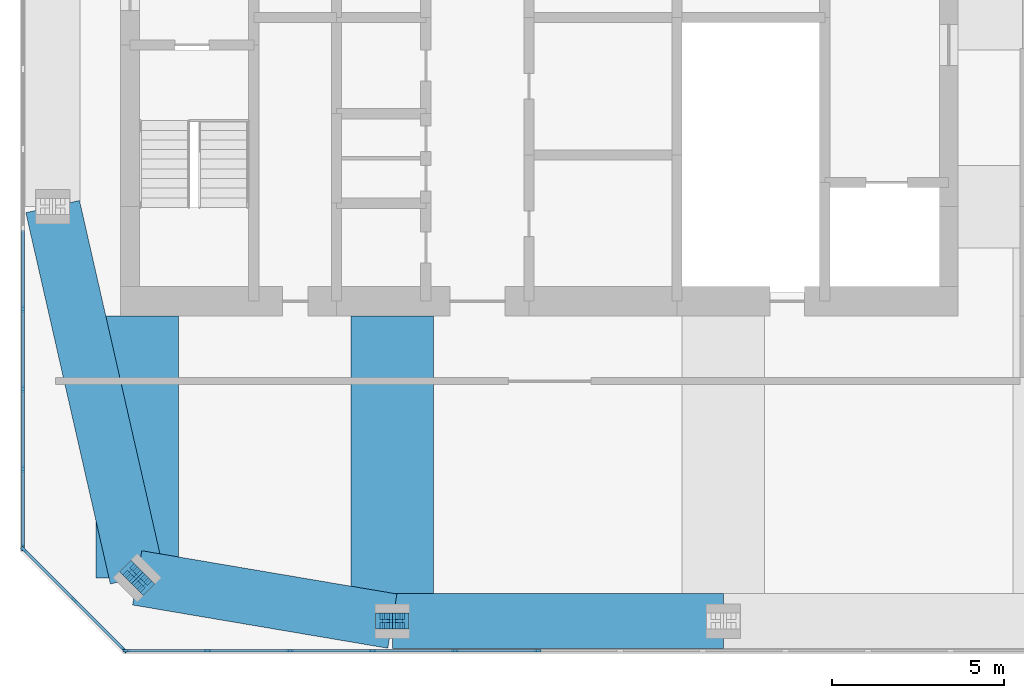
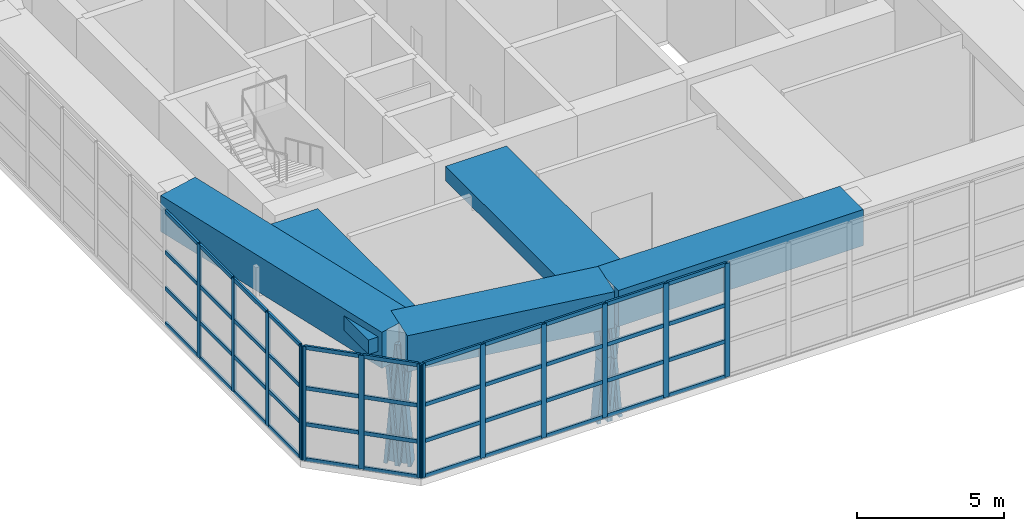
# One storey, part 2 of 14: 65 members, 5 beams, 3 elements without a shape of their own.
"""IFC4 building model written with IfcOpenShell, lengths in metres."""

import ifcopenshell
import ifcopenshell.guid

model = None  # the IFC model being written
_history = None  # IfcOwnerHistory: only IFC2X3 demands one
_inside = {}  # id of a spatial element -> (the spatial element, [elements in it])
_under = {}  # id of a project, library or spatial element -> (it, [spatial elements below it])
_declared = {}  # id of a project -> (the project, [libraries it declares])
_typed = {}  # id of a type object -> (the type object, [elements of that type])
_made_of = {}  # id of a material, layer set ... -> (it, [elements and type objects made of it])


def new_model(schema):
    """Start an empty IFC model of exactly this schema.

    Asked for "IFC4X3", IfcOpenShell would pick the latest addendum, in which some entities
    have other attributes; the version numbers below select the first issue.
    IFC2X3 requires an IfcOwnerHistory on every rooted entity: one is made here for all.
    """
    global model, _history
    if schema == "IFC4X3":
        model = ifcopenshell.file(schema_version=(4, 3, 0, 0))
    else:
        model = ifcopenshell.file(schema=schema)
    _inside.clear()
    _under.clear()
    _declared.clear()
    _typed.clear()
    _made_of.clear()
    _history = None
    if model.schema == "IFC2X3":
        org = make("IfcOrganization", Name="unknown")
        user = make(
            "IfcPersonAndOrganization",
            ThePerson=make("IfcPerson", FamilyName="unknown"),
            TheOrganization=org,
        )
        app = make(
            "IfcApplication",
            ApplicationDeveloper=org,
            Version="unknown",
            ApplicationFullName="unknown",
            ApplicationIdentifier="unknown",
        )
        _history = make(
            "IfcOwnerHistory",
            OwningUser=user,
            OwningApplication=app,
            ChangeAction="ADDED",
            CreationDate=0,
        )
    return model


def make(cls, **values):
    """One entity of the class cls with the attributes given. An attribute that is None is left unset."""
    return model.create_entity(
        cls, **{name: value for name, value in values.items() if value is not None}
    )


def rooted(cls, **values):
    """An entity with a GlobalId (a new one), such as an element, a storey or a relation."""
    return make(cls, GlobalId=ifcopenshell.guid.new(), OwnerHistory=_history, **values)


def si_unit(unit_type, name, prefix=None):
    """IfcSIUnit, for example si_unit("LENGTHUNIT", "METRE", prefix="MILLI")."""
    return make("IfcSIUnit", UnitType=unit_type, Prefix=prefix, Name=name)


def assignment(units):
    """IfcUnitAssignment: the units of a project."""
    return None if units is None else make("IfcUnitAssignment", Units=units)


def point(xyz):
    """IfcCartesianPoint."""
    return None if xyz is None else make("IfcCartesianPoint", Coordinates=xyz)


def direction(xyz):
    """IfcDirection."""
    return None if xyz is None else make("IfcDirection", DirectionRatios=xyz)


def frame(location, z_axis=None, x_axis=None):
    """IfcAxis2Placement3D, a coordinate frame: its origin and axes. An axis left out is left unset."""
    return make(
        "IfcAxis2Placement3D",
        Location=point(location),
        Axis=direction(z_axis),
        RefDirection=direction(x_axis),
    )


def frame_2d(location, x_axis=None):
    """IfcAxis2Placement2D, a coordinate frame in the plane: its origin and x axis."""
    return make(
        "IfcAxis2Placement2D", Location=point(location), RefDirection=direction(x_axis)
    )


def origin():
    """The frame at (0, 0, 0) with its axes left unset."""
    return frame((0.0, 0.0, 0.0))


def origin_2d():
    """The frame at (0, 0) in the plane with its x axis left unset."""
    return frame_2d((0.0, 0.0))


def place(relative_to, where):
    """IfcLocalPlacement: puts the frame where relative to a parent placement (None: the world)."""
    return make(
        "IfcLocalPlacement", PlacementRelTo=relative_to, RelativePlacement=where
    )


def context(
    kind, dimensions, precision=None, world=None, true_north=None, identifier=None
):
    """IfcGeometricRepresentationContext, for example the 3D "Model" context."""
    return make(
        "IfcGeometricRepresentationContext",
        ContextIdentifier=identifier,
        ContextType=kind,
        CoordinateSpaceDimension=dimensions,
        Precision=precision,
        WorldCoordinateSystem=world,
        TrueNorth=true_north,
    )


def subcontext(parent, identifier, kind, view, scale=None):
    """IfcGeometricRepresentationSubContext, for example "Body" below "Model"."""
    return make(
        "IfcGeometricRepresentationSubContext",
        ContextIdentifier=identifier,
        ContextType=kind,
        ParentContext=parent,
        TargetScale=scale,
        TargetView=view,
    )


def project(units=None, contexts=None):
    """IfcProject with its units and contexts."""
    return rooted(
        "IfcProject",
        Name="project",
        RepresentationContexts=contexts,
        UnitsInContext=assignment(units),
    )


def spatial(cls, under=None, at=None, **own):
    """A site, building, storey or space (cls), placed at a placement, below another one or the project."""
    s = rooted(cls, ObjectPlacement=at, **own)
    if under is not None:
        _under.setdefault(under.id(), (under, []))[1].append(s)
    return s


def profile(cls, at=None, kind="AREA", **sizes):
    """A parametric profile (cls). Its sizes go by their IFC names, for example OverallWidth=200.0."""
    return make(cls, ProfileType=kind, Position=at, **sizes)


def rectangle(**sizes):
    """IfcRectangleProfileDef."""
    return profile("IfcRectangleProfileDef", **sizes)


def i_section(**sizes):
    """IfcIShapeProfileDef."""
    return profile("IfcIShapeProfileDef", **sizes)


def extrude(swept, where, along, depth):
    """IfcExtrudedAreaSolid: the profile swept, set in the frame where, extruded along a direction by depth."""
    return make(
        "IfcExtrudedAreaSolid",
        SweptArea=swept,
        Position=where,
        ExtrudedDirection=direction(along),
        Depth=depth,
    )


def shape(context_of_items, identifier, shape_type, items):
    """IfcShapeRepresentation: the items that make up one representation, for example the "Body"."""
    return make(
        "IfcShapeRepresentation",
        ContextOfItems=context_of_items,
        RepresentationIdentifier=identifier,
        RepresentationType=shape_type,
        Items=items,
    )


def material(Name=None, Category=None):
    """IfcMaterial."""
    return make("IfcMaterial", Name=Name, Category=Category)


def material_profile(
    of_material, cross_section, Name=None, Category=None, Priority=None
):
    """IfcMaterialProfile: a cross section and its material."""
    return make(
        "IfcMaterialProfile",
        Name=Name,
        Material=of_material,
        Profile=cross_section,
        Priority=Priority,
        Category=Category,
    )


def profile_set(profiles, Name=None, composite=None):
    """IfcMaterialProfileSet."""
    return make(
        "IfcMaterialProfileSet",
        Name=Name,
        MaterialProfiles=profiles,
        CompositeProfile=composite,
    )


def made_of(thing, what):
    """Note that an element or type object is made of a material, layer set ...; save() writes the relation."""
    if what is not None:
        _made_of.setdefault(what.id(), (what, []))[1].append(thing)
    return thing


def type_object(cls, material=None, **own):
    """A type object (cls), such as IfcWallType, which elements share."""
    return made_of(rooted(cls, **own), material)


def element(
    cls,
    number,
    at=None,
    inside=None,
    cuts=None,
    type_object=None,
    material=None,
    context=None,
    identifier="Body",
    shape_type=None,
    held_by="IfcProductDefinitionShape",
    body=None,
    shapes=None,
    **own,
):
    """One element of the class cls, such as IfcWall. Its Tag is "e" and its number.

    at: its placement. inside: the storey or other place that contains it. cuts: it is an
    opening in that element (IfcRelVoidsElement). A single representation is given by context,
    identifier, shape_type and body (its items); several are given by shapes. held_by: the class
    of the entity that holds the representations. save() writes the other relations.
    """
    e = rooted(cls, Tag="e%d" % number, ObjectPlacement=at, **own)
    if body is not None:
        shapes = [shape(context, identifier, shape_type, body)]
    if shapes is not None:
        e.Representation = make(held_by, Representations=shapes)
    if inside is not None:
        _inside.setdefault(inside.id(), (inside, []))[1].append(e)
    if cuts is not None:
        rooted(
            "IfcRelVoidsElement", RelatingBuildingElement=cuts, RelatedOpeningElement=e
        )
    if type_object is not None:
        _typed.setdefault(type_object.id(), (type_object, []))[1].append(e)
    return made_of(e, material)


def aggregate(whole, parts):
    """IfcRelAggregates: a whole, such as a stair, and the parts it consists of."""
    return rooted("IfcRelAggregates", RelatingObject=whole, RelatedObjects=parts)


def save(model, path):
    """Write the relations noted so far, then the file.

    IfcRelAggregates (storeys below a building ...), IfcRelContainedInSpatialStructure (elements
    in a storey), IfcRelDefinesByType, IfcRelAssociatesMaterial and IfcRelDeclares: one each for
    every whole, place, type object, material and project.
    """
    for whole, parts in _under.values():
        aggregate(whole, parts)
    for where, things in _inside.values():
        rooted(
            "IfcRelContainedInSpatialStructure",
            RelatedElements=things,
            RelatingStructure=where,
        )
    for kind, things in _typed.values():
        rooted("IfcRelDefinesByType", RelatedObjects=things, RelatingType=kind)
    for what, things in _made_of.values():
        rooted("IfcRelAssociatesMaterial", RelatedObjects=things, RelatingMaterial=what)
    for by, libraries in _declared.values():
        rooted("IfcRelDeclares", RelatingContext=by, RelatedDefinitions=libraries)
    model.write(path)


model = new_model("IFC4")

# Units and contexts
model_context = context("Model", 3, precision=1e-05, world=origin(), true_north=direction((0.0, 1.0)))
body_context = subcontext(model_context, "Body", "Model", "MODEL_VIEW")
ifc_project = project(units=[si_unit("LENGTHUNIT", "METRE"), si_unit("AREAUNIT", "SQUARE_METRE"), si_unit("VOLUMEUNIT", "CUBIC_METRE"), si_unit("PLANEANGLEUNIT", "RADIAN"), si_unit("MASSUNIT", "GRAM", prefix="KILO")], contexts=[model_context])

# Site, building, storey
site_placement = place(None, origin())
site = spatial("IfcSite", under=ifc_project, at=site_placement, CompositionType="ELEMENT")
building_placement = place(site_placement, origin())
building = spatial("IfcBuilding", under=site, at=building_placement, Name="Jalousie Tower", CompositionType="ELEMENT")
storey_placement = place(building_placement, frame((0.0, 0.0, 272.75)))
storey = spatial("IfcBuildingStorey", under=building, at=storey_placement, Name="L74", CompositionType="ELEMENT", Elevation=272.75)

# Curtain wall, members
ifc_material_1 = material(Name="Aluminium curtain wall", Category="aluminium")
curtain_wall_type = type_object("IfcCurtainWallType", Name="CROWN LOUVRE WALL", PredefinedType="USERDEFINED", material=ifc_material_1)
curtain_wall_1_placement = place(storey_placement, origin())
curtain_wall_1 = element("IfcCurtainWall", 1, at=curtain_wall_1_placement, inside=storey, type_object=curtain_wall_type, Name="Crown Louvre Wall L74 1", ObjectType="CROWN LOUVRE WALL", PredefinedType="USERDEFINED")
ifc_material_2 = material(Name="Aluminium mullion", Category="aluminium")
ifc_material_profile_1 = material_profile(ifc_material_2, rectangle(XDim=0.080078125, YDim=0.199951171875, at=origin_2d()), Name="MULLION 80x200")
ifc_profile_set_1 = profile_set([ifc_material_profile_1], Name="Aluminium mullion")
member_type_1 = type_object("IfcMemberType", Name="CROWN LOUVRE WALL MULLION", PredefinedType="MULLION", material=ifc_profile_set_1)
member_1_placement = place(storey_placement, frame((19.891357421875, 0.08740234375, 0.0), z_axis=(0.0, 0.0, 1.0), x_axis=(0.0, 1.0, 0.0)))
member_1 = element("IfcMember", 2, at=member_1_placement, type_object=member_type_1, Name="CW-L mullion 1", PredefinedType="MULLION", context=body_context, shape_type="SweptSolid", body=[
    extrude(rectangle(XDim=0.080078125, YDim=0.199951171875, at=origin_2d()), origin(), (0.0, 0.0, 1.0), 4.719970703125),
])
member_2_placement = place(storey_placement, frame((22.251220703125, 0.08740234375, 0.0), z_axis=(0.0, 0.0, 1.0), x_axis=(0.0, 1.0, 0.0)))
member_2 = element("IfcMember", 3, at=member_2_placement, type_object=member_type_1, Name="CW-L mullion 2", PredefinedType="MULLION", context=body_context, shape_type="SweptSolid", body=[
    extrude(rectangle(XDim=0.080078125, YDim=0.199951171875, at=origin_2d()), origin(), (0.0, 0.0, 1.0), 4.719970703125),
])
member_3_placement = place(storey_placement, frame((24.65087890625, 0.08740234375, 0.0), z_axis=(0.0, 0.0, 1.0), x_axis=(0.0, 1.0, 0.0)))
member_3 = element("IfcMember", 4, at=member_3_placement, type_object=member_type_1, Name="CW-L mullion 3", PredefinedType="MULLION", context=body_context, shape_type="SweptSolid", body=[
    extrude(rectangle(XDim=0.080078125, YDim=0.199951171875, at=origin_2d()), origin(), (0.0, 0.0, 1.0), 4.719970703125),
])
member_4_placement = place(storey_placement, frame((27.05078125, 0.08740234375, 0.0), z_axis=(0.0, 0.0, 1.0), x_axis=(0.0, 1.0, 0.0)))
member_4 = element("IfcMember", 5, at=member_4_placement, type_object=member_type_1, Name="CW-L mullion 4", PredefinedType="MULLION", context=body_context, shape_type="SweptSolid", body=[
    extrude(rectangle(XDim=0.080078125, YDim=0.199951171875, at=origin_2d()), origin(), (0.0, 0.0, 1.0), 4.719970703125),
])
member_5_placement = place(storey_placement, frame((29.450439453125, 0.08740234375, 0.0), z_axis=(0.0, 0.0, 1.0), x_axis=(0.0, 1.0, 0.0)))
member_5 = element("IfcMember", 6, at=member_5_placement, type_object=member_type_1, Name="CW-L mullion 5", PredefinedType="MULLION", context=body_context, shape_type="SweptSolid", body=[
    extrude(rectangle(XDim=0.080078125, YDim=0.199951171875, at=origin_2d()), origin(), (0.0, 0.0, 1.0), 4.719970703125),
])
member_6_placement = place(storey_placement, frame((31.850341796875, 0.08740234375, 0.0), z_axis=(0.0, 0.0, 1.0), x_axis=(0.0, 1.0, 0.0)))
member_6 = element("IfcMember", 7, at=member_6_placement, type_object=member_type_1, Name="CW-L mullion 6", PredefinedType="MULLION", context=body_context, shape_type="SweptSolid", body=[
    extrude(rectangle(XDim=0.080078125, YDim=0.199951171875, at=origin_2d()), origin(), (0.0, 0.0, 1.0), 4.719970703125),
])

curtain_wall_2_placement = place(storey_placement, origin())
curtain_wall_2 = element("IfcCurtainWall", 8, at=curtain_wall_2_placement, inside=storey, type_object=curtain_wall_type, Name="Crown Louvre Wall L74 7", ObjectType="CROWN LOUVRE WALL", PredefinedType="USERDEFINED")
member_7_placement = place(storey_placement, frame((16.887451171875, 10.025634765625, 0.0), z_axis=(0.0, 0.0, 1.0), x_axis=(1.0, 0.0, 0.0)))
member_7 = element("IfcMember", 9, at=member_7_placement, type_object=member_type_1, Name="CW-L mullion 10", PredefinedType="MULLION", context=body_context, shape_type="SweptSolid", body=[
    extrude(rectangle(XDim=0.080078125, YDim=0.199951171875, at=origin_2d()), origin(), (0.0, 0.0, 1.0), 4.719970703125),
])
member_8_placement = place(storey_placement, frame((16.887451171875, 7.700927734375, 0.0), z_axis=(0.0, 0.0, 1.0), x_axis=(1.0, 0.0, 0.0)))
member_8 = element("IfcMember", 10, at=member_8_placement, type_object=member_type_1, Name="CW-L mullion 11", PredefinedType="MULLION", context=body_context, shape_type="SweptSolid", body=[
    extrude(rectangle(XDim=0.080078125, YDim=0.199951171875, at=origin_2d()), origin(), (0.0, 0.0, 1.0), 4.719970703125),
])
member_9_placement = place(storey_placement, frame((16.887451171875, 5.3759765625, 0.0), z_axis=(0.0, 0.0, 1.0), x_axis=(1.0, 0.0, 0.0)))
member_9 = element("IfcMember", 11, at=member_9_placement, type_object=member_type_1, Name="CW-L mullion 12", PredefinedType="MULLION", context=body_context, shape_type="SweptSolid", body=[
    extrude(rectangle(XDim=0.080078125, YDim=0.199951171875, at=origin_2d()), origin(), (0.0, 0.0, 1.0), 4.719970703125),
])
member_10_placement = place(storey_placement, frame((16.887451171875, 3.09130859375, 0.0), z_axis=(0.0, 0.0, 1.0), x_axis=(1.0, 0.0, 0.0)))
member_10 = element("IfcMember", 12, at=member_10_placement, type_object=member_type_1, Name="CW-L mullion 13", PredefinedType="MULLION", context=body_context, shape_type="SweptSolid", body=[
    extrude(rectangle(XDim=0.080078125, YDim=0.199951171875, at=origin_2d()), origin(), (0.0, 0.0, 1.0), 4.719970703125),
])

curtain_wall_3_placement = place(storey_placement, origin())
curtain_wall_3 = element("IfcCurtainWall", 13, at=curtain_wall_3_placement, inside=storey, type_object=curtain_wall_type, Name="Crown Louvre Wall L74 8", ObjectType="CROWN LOUVRE WALL", PredefinedType="USERDEFINED")
member_11_placement = place(storey_placement, frame((16.915771484375, 3.02294921875, 0.0), z_axis=(0.0, 0.0, 1.0), x_axis=(0.707106781187, 0.707106781187, 0.0)))
member_11 = element("IfcMember", 14, at=member_11_placement, type_object=member_type_1, Name="CW-L mullion 1", PredefinedType="MULLION", context=body_context, shape_type="SweptSolid", body=[
    extrude(rectangle(XDim=0.080078125, YDim=0.199951171875, at=origin_2d()), origin(), (0.0, 0.0, 1.0), 4.719970703125),
])
member_12_placement = place(storey_placement, frame((18.369384765625, 1.5693359375, 0.0), z_axis=(0.0, 0.0, 1.0), x_axis=(0.707106781187, 0.707106781187, 0.0)))
member_12 = element("IfcMember", 15, at=member_12_placement, type_object=member_type_1, Name="CW-L mullion 2", PredefinedType="MULLION", context=body_context, shape_type="SweptSolid", body=[
    extrude(rectangle(XDim=0.080078125, YDim=0.199951171875, at=origin_2d()), origin(), (0.0, 0.0, 1.0), 4.719970703125),
])
member_13_placement = place(storey_placement, frame((19.822998046875, 0.11572265625, 0.0), z_axis=(0.0, 0.0, 1.0), x_axis=(0.707106781187, 0.707106781187, 0.0)))
member_13 = element("IfcMember", 16, at=member_13_placement, type_object=member_type_1, Name="CW-L mullion 3", PredefinedType="MULLION", context=body_context, shape_type="SweptSolid", body=[
    extrude(rectangle(XDim=0.080078125, YDim=0.199951171875, at=origin_2d()), origin(), (0.0, 0.0, 1.0), 4.719970703125),
])

# Member
ifc_material_3 = material(Name="Aluminium transom", Category="aluminium")
ifc_material_profile_2 = material_profile(ifc_material_3, rectangle(XDim=0.080078125, YDim=0.159912109375, at=origin_2d()), Name="TRANSOM 80x160")
ifc_profile_set_2 = profile_set([ifc_material_profile_2], Name="Aluminium transom")
member_type_2 = type_object("IfcMemberType", Name="CROWN LOUVRE WALL TRANSOM", PredefinedType="USERDEFINED", material=ifc_profile_set_2)
member_14_placement = place(storey_placement, frame((19.931396484375, 0.08740234375, 0.0400390625), z_axis=(1.0, 0.0, 0.0), x_axis=(0.0, 1.0, 0.0)))
member_14 = element("IfcMember", 17, at=member_14_placement, type_object=member_type_2, Name="CW-L transom 1.1", ObjectType="TRANSOM", PredefinedType="USERDEFINED", context=body_context, shape_type="SweptSolid", body=[
    extrude(rectangle(XDim=0.080078125, YDim=0.159912109375, at=origin_2d()), origin(), (0.0, 0.0, 1.0), 2.27978515625),
])

member_15_placement = place(storey_placement, frame((19.931396484375, 0.08740234375, 1.5), z_axis=(1.0, 0.0, 0.0), x_axis=(0.0, 1.0, 0.0)))
member_15 = element("IfcMember", 18, at=member_15_placement, type_object=member_type_2, Name="CW-L transom 1.2", ObjectType="TRANSOM", PredefinedType="USERDEFINED", context=body_context, shape_type="SweptSolid", body=[
    extrude(rectangle(XDim=0.080078125, YDim=0.159912109375, at=origin_2d()), origin(), (0.0, 0.0, 1.0), 2.27978515625),
])

member_16_placement = place(storey_placement, frame((19.931396484375, 0.08740234375, 3.0), z_axis=(1.0, 0.0, 0.0), x_axis=(0.0, 1.0, 0.0)))
member_16 = element("IfcMember", 19, at=member_16_placement, type_object=member_type_2, Name="CW-L transom 1.3", ObjectType="TRANSOM", PredefinedType="USERDEFINED", context=body_context, shape_type="SweptSolid", body=[
    extrude(rectangle(XDim=0.080078125, YDim=0.159912109375, at=origin_2d()), origin(), (0.0, 0.0, 1.0), 2.27978515625),
])

member_17_placement = place(storey_placement, frame((19.931396484375, 0.08740234375, 4.679931640625), z_axis=(1.0, 0.0, 0.0), x_axis=(0.0, 1.0, 0.0)))
member_17 = element("IfcMember", 20, at=member_17_placement, type_object=member_type_2, Name="CW-L transom 1.4", ObjectType="TRANSOM", PredefinedType="USERDEFINED", context=body_context, shape_type="SweptSolid", body=[
    extrude(rectangle(XDim=0.080078125, YDim=0.159912109375, at=origin_2d()), origin(), (0.0, 0.0, 1.0), 2.27978515625),
])

member_18_placement = place(storey_placement, frame((22.291015625, 0.08740234375, 0.0400390625), z_axis=(1.0, 0.0, 0.0), x_axis=(0.0, 1.0, 0.0)))
member_18 = element("IfcMember", 21, at=member_18_placement, type_object=member_type_2, Name="CW-L transom 2.1", ObjectType="TRANSOM", PredefinedType="USERDEFINED", context=body_context, shape_type="SweptSolid", body=[
    extrude(rectangle(XDim=0.080078125, YDim=0.159912109375, at=origin_2d()), origin(), (0.0, 0.0, 1.0), 2.31982421875),
])

member_19_placement = place(storey_placement, frame((22.291015625, 0.08740234375, 1.5), z_axis=(1.0, 0.0, 0.0), x_axis=(0.0, 1.0, 0.0)))
member_19 = element("IfcMember", 22, at=member_19_placement, type_object=member_type_2, Name="CW-L transom 2.2", ObjectType="TRANSOM", PredefinedType="USERDEFINED", context=body_context, shape_type="SweptSolid", body=[
    extrude(rectangle(XDim=0.080078125, YDim=0.159912109375, at=origin_2d()), origin(), (0.0, 0.0, 1.0), 2.31982421875),
])

member_20_placement = place(storey_placement, frame((22.291015625, 0.08740234375, 3.0), z_axis=(1.0, 0.0, 0.0), x_axis=(0.0, 1.0, 0.0)))
member_20 = element("IfcMember", 23, at=member_20_placement, type_object=member_type_2, Name="CW-L transom 2.3", ObjectType="TRANSOM", PredefinedType="USERDEFINED", context=body_context, shape_type="SweptSolid", body=[
    extrude(rectangle(XDim=0.080078125, YDim=0.159912109375, at=origin_2d()), origin(), (0.0, 0.0, 1.0), 2.31982421875),
])

member_21_placement = place(storey_placement, frame((22.291015625, 0.08740234375, 4.679931640625), z_axis=(1.0, 0.0, 0.0), x_axis=(0.0, 1.0, 0.0)))
member_21 = element("IfcMember", 24, at=member_21_placement, type_object=member_type_2, Name="CW-L transom 2.4", ObjectType="TRANSOM", PredefinedType="USERDEFINED", context=body_context, shape_type="SweptSolid", body=[
    extrude(rectangle(XDim=0.080078125, YDim=0.159912109375, at=origin_2d()), origin(), (0.0, 0.0, 1.0), 2.31982421875),
])

member_22_placement = place(storey_placement, frame((24.69091796875, 0.08740234375, 0.0400390625), z_axis=(1.0, 0.0, 0.0), x_axis=(0.0, 1.0, 0.0)))
member_22 = element("IfcMember", 25, at=member_22_placement, type_object=member_type_2, Name="CW-L transom 3.1", ObjectType="TRANSOM", PredefinedType="USERDEFINED", context=body_context, shape_type="SweptSolid", body=[
    extrude(rectangle(XDim=0.080078125, YDim=0.159912109375, at=origin_2d()), origin(), (0.0, 0.0, 1.0), 2.31982421875),
])

member_23_placement = place(storey_placement, frame((24.69091796875, 0.08740234375, 1.5), z_axis=(1.0, 0.0, 0.0), x_axis=(0.0, 1.0, 0.0)))
member_23 = element("IfcMember", 26, at=member_23_placement, type_object=member_type_2, Name="CW-L transom 3.2", ObjectType="TRANSOM", PredefinedType="USERDEFINED", context=body_context, shape_type="SweptSolid", body=[
    extrude(rectangle(XDim=0.080078125, YDim=0.159912109375, at=origin_2d()), origin(), (0.0, 0.0, 1.0), 2.31982421875),
])

member_24_placement = place(storey_placement, frame((24.69091796875, 0.08740234375, 3.0), z_axis=(1.0, 0.0, 0.0), x_axis=(0.0, 1.0, 0.0)))
member_24 = element("IfcMember", 27, at=member_24_placement, type_object=member_type_2, Name="CW-L transom 3.3", ObjectType="TRANSOM", PredefinedType="USERDEFINED", context=body_context, shape_type="SweptSolid", body=[
    extrude(rectangle(XDim=0.080078125, YDim=0.159912109375, at=origin_2d()), origin(), (0.0, 0.0, 1.0), 2.31982421875),
])

member_25_placement = place(storey_placement, frame((24.69091796875, 0.08740234375, 4.679931640625), z_axis=(1.0, 0.0, 0.0), x_axis=(0.0, 1.0, 0.0)))
member_25 = element("IfcMember", 28, at=member_25_placement, type_object=member_type_2, Name="CW-L transom 3.4", ObjectType="TRANSOM", PredefinedType="USERDEFINED", context=body_context, shape_type="SweptSolid", body=[
    extrude(rectangle(XDim=0.080078125, YDim=0.159912109375, at=origin_2d()), origin(), (0.0, 0.0, 1.0), 2.31982421875),
])

member_26_placement = place(storey_placement, frame((27.0908203125, 0.08740234375, 0.0400390625), z_axis=(1.0, 0.0, 0.0), x_axis=(0.0, 1.0, 0.0)))
member_26 = element("IfcMember", 29, at=member_26_placement, type_object=member_type_2, Name="CW-L transom 4.1", ObjectType="TRANSOM", PredefinedType="USERDEFINED", context=body_context, shape_type="SweptSolid", body=[
    extrude(rectangle(XDim=0.080078125, YDim=0.159912109375, at=origin_2d()), origin(), (0.0, 0.0, 1.0), 2.31982421875),
])

member_27_placement = place(storey_placement, frame((27.0908203125, 0.08740234375, 1.5), z_axis=(1.0, 0.0, 0.0), x_axis=(0.0, 1.0, 0.0)))
member_27 = element("IfcMember", 30, at=member_27_placement, type_object=member_type_2, Name="CW-L transom 4.2", ObjectType="TRANSOM", PredefinedType="USERDEFINED", context=body_context, shape_type="SweptSolid", body=[
    extrude(rectangle(XDim=0.080078125, YDim=0.159912109375, at=origin_2d()), origin(), (0.0, 0.0, 1.0), 2.31982421875),
])

member_28_placement = place(storey_placement, frame((27.0908203125, 0.08740234375, 3.0), z_axis=(1.0, 0.0, 0.0), x_axis=(0.0, 1.0, 0.0)))
member_28 = element("IfcMember", 31, at=member_28_placement, type_object=member_type_2, Name="CW-L transom 4.3", ObjectType="TRANSOM", PredefinedType="USERDEFINED", context=body_context, shape_type="SweptSolid", body=[
    extrude(rectangle(XDim=0.080078125, YDim=0.159912109375, at=origin_2d()), origin(), (0.0, 0.0, 1.0), 2.31982421875),
])

member_29_placement = place(storey_placement, frame((27.0908203125, 0.08740234375, 4.679931640625), z_axis=(1.0, 0.0, 0.0), x_axis=(0.0, 1.0, 0.0)))
member_29 = element("IfcMember", 32, at=member_29_placement, type_object=member_type_2, Name="CW-L transom 4.4", ObjectType="TRANSOM", PredefinedType="USERDEFINED", context=body_context, shape_type="SweptSolid", body=[
    extrude(rectangle(XDim=0.080078125, YDim=0.159912109375, at=origin_2d()), origin(), (0.0, 0.0, 1.0), 2.31982421875),
])

member_30_placement = place(storey_placement, frame((29.490478515625, 0.08740234375, 0.0400390625), z_axis=(1.0, 0.0, 0.0), x_axis=(0.0, 1.0, 0.0)))
member_30 = element("IfcMember", 33, at=member_30_placement, type_object=member_type_2, Name="CW-L transom 5.1", ObjectType="TRANSOM", PredefinedType="USERDEFINED", context=body_context, shape_type="SweptSolid", body=[
    extrude(rectangle(XDim=0.080078125, YDim=0.159912109375, at=origin_2d()), origin(), (0.0, 0.0, 1.0), 2.31982421875),
])

member_31_placement = place(storey_placement, frame((29.490478515625, 0.08740234375, 1.5), z_axis=(1.0, 0.0, 0.0), x_axis=(0.0, 1.0, 0.0)))
member_31 = element("IfcMember", 34, at=member_31_placement, type_object=member_type_2, Name="CW-L transom 5.2", ObjectType="TRANSOM", PredefinedType="USERDEFINED", context=body_context, shape_type="SweptSolid", body=[
    extrude(rectangle(XDim=0.080078125, YDim=0.159912109375, at=origin_2d()), origin(), (0.0, 0.0, 1.0), 2.31982421875),
])

member_32_placement = place(storey_placement, frame((29.490478515625, 0.08740234375, 3.0), z_axis=(1.0, 0.0, 0.0), x_axis=(0.0, 1.0, 0.0)))
member_32 = element("IfcMember", 35, at=member_32_placement, type_object=member_type_2, Name="CW-L transom 5.3", ObjectType="TRANSOM", PredefinedType="USERDEFINED", context=body_context, shape_type="SweptSolid", body=[
    extrude(rectangle(XDim=0.080078125, YDim=0.159912109375, at=origin_2d()), origin(), (0.0, 0.0, 1.0), 2.31982421875),
])

member_33_placement = place(storey_placement, frame((29.490478515625, 0.08740234375, 4.679931640625), z_axis=(1.0, 0.0, 0.0), x_axis=(0.0, 1.0, 0.0)))
member_33 = element("IfcMember", 36, at=member_33_placement, type_object=member_type_2, Name="CW-L transom 5.4", ObjectType="TRANSOM", PredefinedType="USERDEFINED", context=body_context, shape_type="SweptSolid", body=[
    extrude(rectangle(XDim=0.080078125, YDim=0.159912109375, at=origin_2d()), origin(), (0.0, 0.0, 1.0), 2.31982421875),
])

aggregate(curtain_wall_1, [member_1, member_2, member_3, member_4, member_5, member_6, member_14, member_15, member_16, member_17, member_18, member_19, member_20, member_21, member_22, member_23, member_24, member_25, member_26, member_27, member_28, member_29, member_30, member_31, member_32, member_33])

member_34_placement = place(storey_placement, frame((16.887451171875, 12.310546875, 0.0400390625), z_axis=(0.0, -1.0, 0.0), x_axis=(1.0, 0.0, 0.0)))
member_34 = element("IfcMember", 37, at=member_34_placement, type_object=member_type_2, Name="CW-L transom 9.1", ObjectType="TRANSOM", PredefinedType="USERDEFINED", context=body_context, shape_type="SweptSolid", body=[
    extrude(rectangle(XDim=0.080078125, YDim=0.159912109375, at=origin_2d()), origin(), (0.0, 0.0, 1.0), 2.244873046875),
])

member_35_placement = place(storey_placement, frame((16.887451171875, 12.310546875, 1.5), z_axis=(0.0, -1.0, 0.0), x_axis=(1.0, 0.0, 0.0)))
member_35 = element("IfcMember", 38, at=member_35_placement, type_object=member_type_2, Name="CW-L transom 9.2", ObjectType="TRANSOM", PredefinedType="USERDEFINED", context=body_context, shape_type="SweptSolid", body=[
    extrude(rectangle(XDim=0.080078125, YDim=0.159912109375, at=origin_2d()), origin(), (0.0, 0.0, 1.0), 2.244873046875),
])

member_36_placement = place(storey_placement, frame((16.887451171875, 12.310546875, 3.0), z_axis=(0.0, -1.0, 0.0), x_axis=(1.0, 0.0, 0.0)))
member_36 = element("IfcMember", 39, at=member_36_placement, type_object=member_type_2, Name="CW-L transom 9.3", ObjectType="TRANSOM", PredefinedType="USERDEFINED", context=body_context, shape_type="SweptSolid", body=[
    extrude(rectangle(XDim=0.080078125, YDim=0.159912109375, at=origin_2d()), origin(), (0.0, 0.0, 1.0), 2.244873046875),
])

member_37_placement = place(storey_placement, frame((16.887451171875, 12.310546875, 4.679931640625), z_axis=(0.0, -1.0, 0.0), x_axis=(1.0, 0.0, 0.0)))
member_37 = element("IfcMember", 40, at=member_37_placement, type_object=member_type_2, Name="CW-L transom 9.4", ObjectType="TRANSOM", PredefinedType="USERDEFINED", context=body_context, shape_type="SweptSolid", body=[
    extrude(rectangle(XDim=0.080078125, YDim=0.159912109375, at=origin_2d()), origin(), (0.0, 0.0, 1.0), 2.244873046875),
])

member_38_placement = place(storey_placement, frame((16.887451171875, 9.985595703125, 0.0400390625), z_axis=(0.0, -1.0, 0.0), x_axis=(1.0, 0.0, 0.0)))
member_38 = element("IfcMember", 41, at=member_38_placement, type_object=member_type_2, Name="CW-L transom 10.1", ObjectType="TRANSOM", PredefinedType="USERDEFINED", context=body_context, shape_type="SweptSolid", body=[
    extrude(rectangle(XDim=0.080078125, YDim=0.159912109375, at=origin_2d()), origin(), (0.0, 0.0, 1.0), 2.24462890625),
])

member_39_placement = place(storey_placement, frame((16.887451171875, 9.985595703125, 1.5), z_axis=(0.0, -1.0, 0.0), x_axis=(1.0, 0.0, 0.0)))
member_39 = element("IfcMember", 42, at=member_39_placement, type_object=member_type_2, Name="CW-L transom 10.2", ObjectType="TRANSOM", PredefinedType="USERDEFINED", context=body_context, shape_type="SweptSolid", body=[
    extrude(rectangle(XDim=0.080078125, YDim=0.159912109375, at=origin_2d()), origin(), (0.0, 0.0, 1.0), 2.24462890625),
])

member_40_placement = place(storey_placement, frame((16.887451171875, 9.985595703125, 3.0), z_axis=(0.0, -1.0, 0.0), x_axis=(1.0, 0.0, 0.0)))
member_40 = element("IfcMember", 43, at=member_40_placement, type_object=member_type_2, Name="CW-L transom 10.3", ObjectType="TRANSOM", PredefinedType="USERDEFINED", context=body_context, shape_type="SweptSolid", body=[
    extrude(rectangle(XDim=0.080078125, YDim=0.159912109375, at=origin_2d()), origin(), (0.0, 0.0, 1.0), 2.24462890625),
])

member_41_placement = place(storey_placement, frame((16.887451171875, 9.985595703125, 4.679931640625), z_axis=(0.0, -1.0, 0.0), x_axis=(1.0, 0.0, 0.0)))
member_41 = element("IfcMember", 44, at=member_41_placement, type_object=member_type_2, Name="CW-L transom 10.4", ObjectType="TRANSOM", PredefinedType="USERDEFINED", context=body_context, shape_type="SweptSolid", body=[
    extrude(rectangle(XDim=0.080078125, YDim=0.159912109375, at=origin_2d()), origin(), (0.0, 0.0, 1.0), 2.24462890625),
])

member_42_placement = place(storey_placement, frame((16.887451171875, 7.660888671875, 0.0400390625), z_axis=(0.0, -1.0, 0.0), x_axis=(1.0, 0.0, 0.0)))
member_42 = element("IfcMember", 45, at=member_42_placement, type_object=member_type_2, Name="CW-L transom 11.1", ObjectType="TRANSOM", PredefinedType="USERDEFINED", context=body_context, shape_type="SweptSolid", body=[
    extrude(rectangle(XDim=0.080078125, YDim=0.159912109375, at=origin_2d()), origin(), (0.0, 0.0, 1.0), 2.244873046875),
])

member_43_placement = place(storey_placement, frame((16.887451171875, 7.660888671875, 1.5), z_axis=(0.0, -1.0, 0.0), x_axis=(1.0, 0.0, 0.0)))
member_43 = element("IfcMember", 46, at=member_43_placement, type_object=member_type_2, Name="CW-L transom 11.2", ObjectType="TRANSOM", PredefinedType="USERDEFINED", context=body_context, shape_type="SweptSolid", body=[
    extrude(rectangle(XDim=0.080078125, YDim=0.159912109375, at=origin_2d()), origin(), (0.0, 0.0, 1.0), 2.244873046875),
])

member_44_placement = place(storey_placement, frame((16.887451171875, 7.660888671875, 3.0), z_axis=(0.0, -1.0, 0.0), x_axis=(1.0, 0.0, 0.0)))
member_44 = element("IfcMember", 47, at=member_44_placement, type_object=member_type_2, Name="CW-L transom 11.3", ObjectType="TRANSOM", PredefinedType="USERDEFINED", context=body_context, shape_type="SweptSolid", body=[
    extrude(rectangle(XDim=0.080078125, YDim=0.159912109375, at=origin_2d()), origin(), (0.0, 0.0, 1.0), 2.244873046875),
])

member_45_placement = place(storey_placement, frame((16.887451171875, 7.660888671875, 4.679931640625), z_axis=(0.0, -1.0, 0.0), x_axis=(1.0, 0.0, 0.0)))
member_45 = element("IfcMember", 48, at=member_45_placement, type_object=member_type_2, Name="CW-L transom 11.4", ObjectType="TRANSOM", PredefinedType="USERDEFINED", context=body_context, shape_type="SweptSolid", body=[
    extrude(rectangle(XDim=0.080078125, YDim=0.159912109375, at=origin_2d()), origin(), (0.0, 0.0, 1.0), 2.244873046875),
])

member_46_placement = place(storey_placement, frame((16.887451171875, 5.336181640625, 0.0400390625), z_axis=(0.0, -1.0, 0.0), x_axis=(1.0, 0.0, 0.0)))
member_46 = element("IfcMember", 49, at=member_46_placement, type_object=member_type_2, Name="CW-L transom 12.1", ObjectType="TRANSOM", PredefinedType="USERDEFINED", context=body_context, shape_type="SweptSolid", body=[
    extrude(rectangle(XDim=0.080078125, YDim=0.159912109375, at=origin_2d()), origin(), (0.0, 0.0, 1.0), 2.204833984375),
])

member_47_placement = place(storey_placement, frame((16.887451171875, 5.336181640625, 1.5), z_axis=(0.0, -1.0, 0.0), x_axis=(1.0, 0.0, 0.0)))
member_47 = element("IfcMember", 50, at=member_47_placement, type_object=member_type_2, Name="CW-L transom 12.2", ObjectType="TRANSOM", PredefinedType="USERDEFINED", context=body_context, shape_type="SweptSolid", body=[
    extrude(rectangle(XDim=0.080078125, YDim=0.159912109375, at=origin_2d()), origin(), (0.0, 0.0, 1.0), 2.204833984375),
])

member_48_placement = place(storey_placement, frame((16.887451171875, 5.336181640625, 3.0), z_axis=(0.0, -1.0, 0.0), x_axis=(1.0, 0.0, 0.0)))
member_48 = element("IfcMember", 51, at=member_48_placement, type_object=member_type_2, Name="CW-L transom 12.3", ObjectType="TRANSOM", PredefinedType="USERDEFINED", context=body_context, shape_type="SweptSolid", body=[
    extrude(rectangle(XDim=0.080078125, YDim=0.159912109375, at=origin_2d()), origin(), (0.0, 0.0, 1.0), 2.204833984375),
])

member_49_placement = place(storey_placement, frame((16.887451171875, 5.336181640625, 4.679931640625), z_axis=(0.0, -1.0, 0.0), x_axis=(1.0, 0.0, 0.0)))
member_49 = element("IfcMember", 52, at=member_49_placement, type_object=member_type_2, Name="CW-L transom 12.4", ObjectType="TRANSOM", PredefinedType="USERDEFINED", context=body_context, shape_type="SweptSolid", body=[
    extrude(rectangle(XDim=0.080078125, YDim=0.159912109375, at=origin_2d()), origin(), (0.0, 0.0, 1.0), 2.204833984375),
])

aggregate(curtain_wall_2, [member_7, member_8, member_9, member_10, member_34, member_35, member_36, member_37, member_38, member_39, member_40, member_41, member_42, member_43, member_44, member_45, member_46, member_47, member_48, member_49])

member_50_placement = place(storey_placement, frame((16.944091796875, 2.99462890625, 0.0400390625), z_axis=(0.707106781187, -0.707106781187, 0.0), x_axis=(0.707106781187, 0.707106781187, 0.0)))
member_50 = element("IfcMember", 53, at=member_50_placement, type_object=member_type_2, Name="CW-L transom 1.1", ObjectType="TRANSOM", PredefinedType="USERDEFINED", context=body_context, shape_type="SweptSolid", body=[
    extrude(rectangle(XDim=0.080078125, YDim=0.159912109375, at=origin_2d()), origin(), (0.0, 0.0, 1.0), 1.9755859375),
])

member_51_placement = place(storey_placement, frame((16.944091796875, 2.99462890625, 1.5), z_axis=(0.707106781187, -0.707106781187, 0.0), x_axis=(0.707106781187, 0.707106781187, 0.0)))
member_51 = element("IfcMember", 54, at=member_51_placement, type_object=member_type_2, Name="CW-L transom 1.2", ObjectType="TRANSOM", PredefinedType="USERDEFINED", context=body_context, shape_type="SweptSolid", body=[
    extrude(rectangle(XDim=0.080078125, YDim=0.159912109375, at=origin_2d()), origin(), (0.0, 0.0, 1.0), 1.9755859375),
])

member_52_placement = place(storey_placement, frame((16.944091796875, 2.99462890625, 3.0), z_axis=(0.707106781187, -0.707106781187, 0.0), x_axis=(0.707106781187, 0.707106781187, 0.0)))
member_52 = element("IfcMember", 55, at=member_52_placement, type_object=member_type_2, Name="CW-L transom 1.3", ObjectType="TRANSOM", PredefinedType="USERDEFINED", context=body_context, shape_type="SweptSolid", body=[
    extrude(rectangle(XDim=0.080078125, YDim=0.159912109375, at=origin_2d()), origin(), (0.0, 0.0, 1.0), 1.9755859375),
])

member_53_placement = place(storey_placement, frame((16.944091796875, 2.99462890625, 4.679931640625), z_axis=(0.707106781187, -0.707106781187, 0.0), x_axis=(0.707106781187, 0.707106781187, 0.0)))
member_53 = element("IfcMember", 56, at=member_53_placement, type_object=member_type_2, Name="CW-L transom 1.4", ObjectType="TRANSOM", PredefinedType="USERDEFINED", context=body_context, shape_type="SweptSolid", body=[
    extrude(rectangle(XDim=0.080078125, YDim=0.159912109375, at=origin_2d()), origin(), (0.0, 0.0, 1.0), 1.9755859375),
])

member_54_placement = place(storey_placement, frame((18.397705078125, 1.541015625, 0.0400390625), z_axis=(0.707106781187, -0.707106781187, 0.0), x_axis=(0.707106781187, 0.707106781187, 0.0)))
member_54 = element("IfcMember", 57, at=member_54_placement, type_object=member_type_2, Name="CW-L transom 2.1", ObjectType="TRANSOM", PredefinedType="USERDEFINED", context=body_context, shape_type="SweptSolid", body=[
    extrude(rectangle(XDim=0.080078125, YDim=0.159912109375, at=origin_2d()), origin(), (0.0, 0.0, 1.0), 1.9755859375),
])

member_55_placement = place(storey_placement, frame((18.397705078125, 1.541015625, 1.5), z_axis=(0.707106781187, -0.707106781187, 0.0), x_axis=(0.707106781187, 0.707106781187, 0.0)))
member_55 = element("IfcMember", 58, at=member_55_placement, type_object=member_type_2, Name="CW-L transom 2.2", ObjectType="TRANSOM", PredefinedType="USERDEFINED", context=body_context, shape_type="SweptSolid", body=[
    extrude(rectangle(XDim=0.080078125, YDim=0.159912109375, at=origin_2d()), origin(), (0.0, 0.0, 1.0), 1.9755859375),
])

member_56_placement = place(storey_placement, frame((18.397705078125, 1.541015625, 3.0), z_axis=(0.707106781187, -0.707106781187, 0.0), x_axis=(0.707106781187, 0.707106781187, 0.0)))
member_56 = element("IfcMember", 59, at=member_56_placement, type_object=member_type_2, Name="CW-L transom 2.3", ObjectType="TRANSOM", PredefinedType="USERDEFINED", context=body_context, shape_type="SweptSolid", body=[
    extrude(rectangle(XDim=0.080078125, YDim=0.159912109375, at=origin_2d()), origin(), (0.0, 0.0, 1.0), 1.9755859375),
])

member_57_placement = place(storey_placement, frame((18.397705078125, 1.541015625, 4.679931640625), z_axis=(0.707106781187, -0.707106781187, 0.0), x_axis=(0.707106781187, 0.707106781187, 0.0)))
member_57 = element("IfcMember", 60, at=member_57_placement, type_object=member_type_2, Name="CW-L transom 2.4", ObjectType="TRANSOM", PredefinedType="USERDEFINED", context=body_context, shape_type="SweptSolid", body=[
    extrude(rectangle(XDim=0.080078125, YDim=0.159912109375, at=origin_2d()), origin(), (0.0, 0.0, 1.0), 1.9755859375),
])

aggregate(curtain_wall_3, [member_11, member_12, member_13, member_50, member_51, member_52, member_53, member_54, member_55, member_56, member_57])

# Members
ifc_material_4 = material(Name="Steel ASTM A992 Grade 50", Category="steel")
ifc_material_profile_3 = material_profile(ifc_material_4, i_section(OverallWidth=0.472412109375, OverallDepth=0.5791015625, WebThickness=0.094970703125, FlangeThickness=0.1298828125, at=origin_2d()), Name="W14X808")
ifc_profile_set_3 = profile_set([ifc_material_profile_3], Name="Steel ASTM A992 Grade 50")
member_type_3 = type_object("IfcMemberType", Name="PERIMETER BRACE W14X808", PredefinedType="BRACE", material=ifc_profile_set_3)
for number, where, z_axis, x_axis, name in (
    (61, (20.065673828125, 2.348388671875, -0.75), (0.056363057148, -0.056363057148, 0.996818143684), (0.707106781187, 0.707106781187, 0.0), "Perimeter brace 01 L74 part 1"),
    (62, (20.20703125, 2.20703125, 1.75), (0.056363057148, -0.056363057148, 0.996818143684), (0.707106781187, 0.707106781187, 0.0), "Perimeter brace 01 L74 part 2"),
    (63, (20.348388671875, 2.065673828125, -0.75), (-0.056363057148, 0.056363057148, 0.996818143684), (-0.707106781187, -0.707106781187, 0.0), "Perimeter brace 01 L74 part 3"),
    (64, (20.20703125, 2.20703125, 1.75), (-0.056363057148, 0.056363057148, 0.996818143684), (-0.707106781187, -0.707106781187, 0.0), "Perimeter brace 01 L74 part 4"),
    (65, (27.425048828125, 0.949951171875, -0.75), (0.079725876999, 0.0, 0.99681682597), (0.0, 1.0, 0.0), "Perimeter brace 02 L74 part 1"),
    (66, (27.625, 0.949951171875, 1.75), (0.079725876999, 0.0, 0.99681682597), (0.0, 1.0, 0.0), "Perimeter brace 02 L74 part 2"),
    (67, (27.824951171875, 0.949951171875, -0.75), (-0.079725876999, 0.0, 0.99681682597), (0.0, -1.0, 0.0), "Perimeter brace 02 L74 part 3"),
    (68, (27.625, 0.949951171875, 1.75), (-0.079725876999, 0.0, 0.99681682597), (0.0, -1.0, 0.0), "Perimeter brace 02 L74 part 4"),
):
    element("IfcMember", number, at=place(storey_placement, frame(where, z_axis=z_axis, x_axis=x_axis)), inside=storey, type_object=member_type_3, Name=name, PredefinedType="BRACE", context=body_context, shape_type="SweptSolid", body=[
        extrude(i_section(OverallWidth=0.472412109375, OverallDepth=0.5791015625, WebThickness=0.094970703125, FlangeThickness=0.1298828125, at=origin_2d()), origin(), (0.0, 0.0, 1.0), 2.508056640625),
    ])

# Beams
ifc_material_5 = material(Name="Concrete f'c 40 MPa", Category="concrete")
ifc_material_profile_4 = material_profile(ifc_material_5, rectangle(XDim=1.60009765625, YDim=1.5, at=origin_2d()), Name="RC 1600x1500")
ifc_profile_set_4 = profile_set([ifc_material_profile_4], Name="Concrete f'c 40 MPa")
beam_type_1 = type_object("IfcBeamType", Name="RC BEAM 1600x1500", PredefinedType="BEAM", material=ifc_profile_set_4)
beam_1_placement = place(storey_placement, frame((20.20703125, 2.20703125, 4.25), z_axis=(0.985942997446, -0.167082033105, 0.0), x_axis=(0.167082033105, 0.985942997446, 0.0)))
element("IfcBeam", 69, at=beam_1_placement, inside=storey, type_object=beam_type_1, Name="Edge band beam 01-02 under RF", PredefinedType="BEAM", context=body_context, shape_type="SweptSolid", body=[
    extrude(rectangle(XDim=1.60009765625, YDim=1.5, at=origin_2d()), origin(), (0.0, 0.0, 1.0), 7.523681640625),
])
beam_2_placement = place(storey_placement, frame((27.625, 0.949951171875, 4.25), z_axis=(1.0, 0.0, 0.0), x_axis=(0.0, 1.0, 0.0)))
element("IfcBeam", 70, at=beam_2_placement, inside=storey, type_object=beam_type_1, Name="Edge band beam 02-03 under RF", PredefinedType="BEAM", context=body_context, shape_type="SweptSolid", body=[
    extrude(rectangle(XDim=1.60009765625, YDim=1.5, at=origin_2d()), origin(), (0.0, 0.0, 1.0), 9.625),
])
beam_3_placement = place(storey_placement, frame((17.75, 13.0, 4.25), z_axis=(0.221971905818, -0.975053061647, 0.0), x_axis=(0.975053061647, 0.221971905818, 0.0)))
element("IfcBeam", 71, at=beam_3_placement, inside=storey, type_object=beam_type_1, Name="Edge band beam 14-01 under RF", PredefinedType="BEAM", context=body_context, shape_type="SweptSolid", body=[
    extrude(rectangle(XDim=1.60009765625, YDim=1.5, at=origin_2d()), origin(), (0.0, 0.0, 1.0), 11.069091796875),
])
ifc_material_6 = material(Name="Concrete f'c 40 MPa", Category="concrete")
ifc_material_profile_5 = material_profile(ifc_material_6, rectangle(XDim=2.39990234375, YDim=0.60009765625, at=origin_2d()), Name="RC 2400x600")
ifc_profile_set_5 = profile_set([ifc_material_profile_5], Name="Concrete f'c 40 MPa")
beam_type_2 = type_object("IfcBeamType", Name="RC BEAM 2400x600", PredefinedType="BEAM", material=ifc_profile_set_5)
beam_4_placement = place(storey_placement, frame((20.20703125, 2.20703125, 4.419921875), z_axis=(0.0, 1.0, 0.0), x_axis=(-1.0, 0.0, 0.0)))
element("IfcBeam", 72, at=beam_4_placement, inside=storey, type_object=beam_type_2, Name="Floor band beam under RF", PredefinedType="BEAM", context=body_context, shape_type="SweptSolid", body=[
    extrude(rectangle(XDim=2.39990234375, YDim=0.60009765625, at=origin_2d()), origin(), (0.0, 0.0, 1.0), 7.617919921875),
])
beam_5_placement = place(storey_placement, frame((27.625, 0.949951171875, 4.419921875), z_axis=(0.0, 1.0, 0.0), x_axis=(-1.0, 0.0, 0.0)))
element("IfcBeam", 73, at=beam_5_placement, inside=storey, type_object=beam_type_2, Name="Floor band beam under RF", PredefinedType="BEAM", context=body_context, shape_type="SweptSolid", body=[
    extrude(rectangle(XDim=2.39990234375, YDim=0.60009765625, at=origin_2d()), origin(), (0.0, 0.0, 1.0), 8.875),
])

save(model, "model.ifc")
